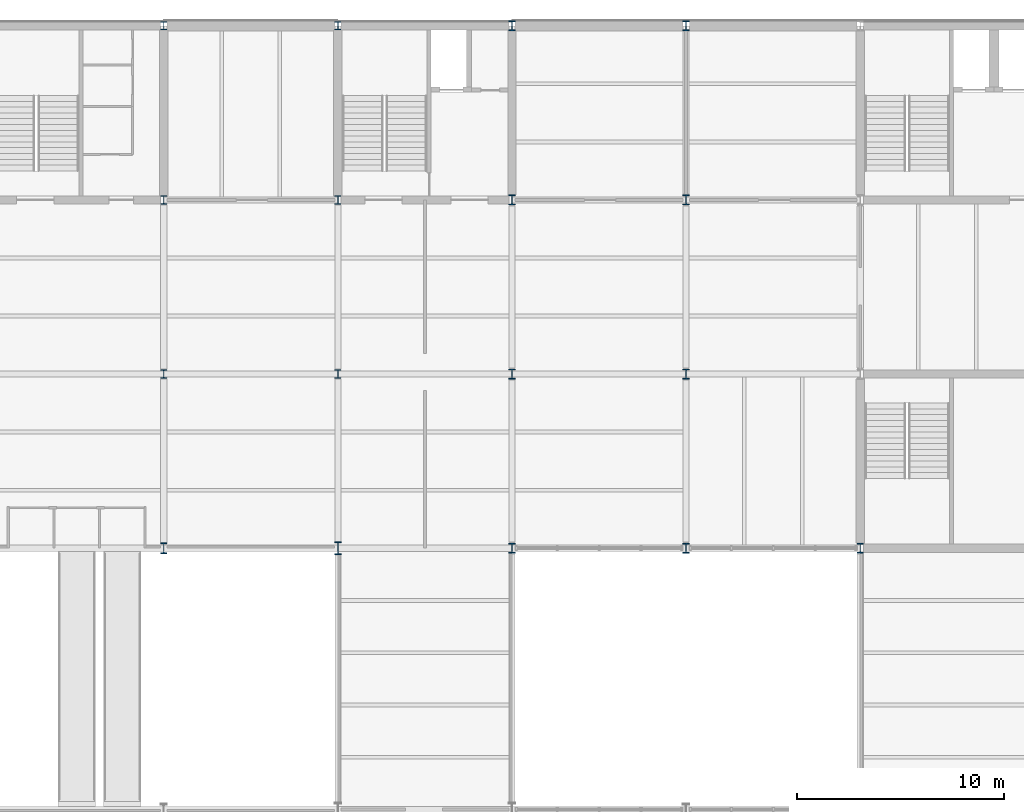
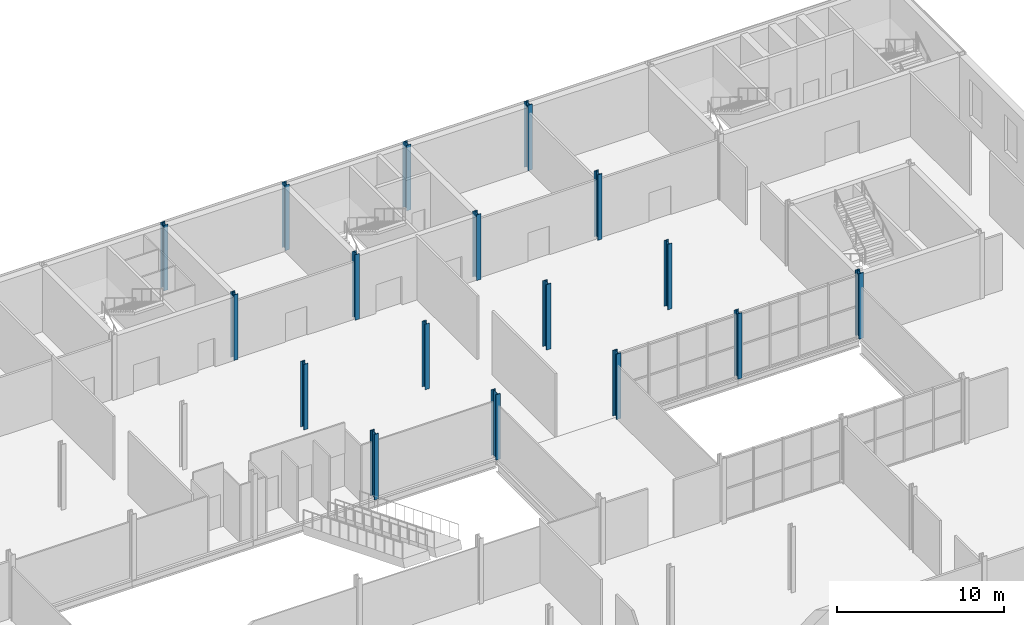
# One storey, part 7 of 52: 17 columns.
"""IFC4 building model written with IfcOpenShell, lengths in metres."""

from ifc_helpers import new_model, si_unit, direction, frame, origin, origin_2d, place, context, subcontext, project, spatial, i_section, extrude, material, material_profile, profile_set, type_object, element, save


model = new_model("IFC4")

# Units and contexts
model_context = context("Model", 3, precision=1e-05, world=origin(), true_north=direction((0.0, 1.0)))
body_context = subcontext(model_context, "Body", "Model", "MODEL_VIEW")
ifc_project = project(units=[si_unit("LENGTHUNIT", "METRE"), si_unit("AREAUNIT", "SQUARE_METRE"), si_unit("VOLUMEUNIT", "CUBIC_METRE"), si_unit("PLANEANGLEUNIT", "RADIAN"), si_unit("MASSUNIT", "GRAM", prefix="KILO")], contexts=[model_context])

# Site, building, storey
site_placement = place(None, origin())
site = spatial("IfcSite", under=ifc_project, at=site_placement, CompositionType="ELEMENT")
building_placement = place(site_placement, origin())
building = spatial("IfcBuilding", under=site, at=building_placement, Name="Galleria Vessillo Department Store", CompositionType="ELEMENT")
storey_placement = place(building_placement, frame((0.0, 0.0, 16.199951171875)))
storey = spatial("IfcBuildingStorey", under=building, at=storey_placement, Name="L03", CompositionType="ELEMENT", Elevation=16.199951171875)

# Columns
ifc_material_1 = material(Name="Steel S355 J2", Category="steel")
ifc_material_profile_1 = material_profile(ifc_material_1, i_section(OverallWidth=0.300048828125, OverallDepth=0.39990234375, WebThickness=0.013427734375, FlangeThickness=0.02392578125, FilletRadius=0.027099609375, at=origin_2d()), Name="HEB 400")
ifc_profile_set_1 = profile_set([ifc_material_profile_1], Name="Steel S355 J2")
column_type_1 = type_object("IfcColumnType", Name="Steel column HEB 400 CP2", PredefinedType="COLUMN", material=ifc_profile_set_1)
for number, where, z_axis, x_axis, name in (
    (1, (67.199951171875, 46.199951171875, 0.0), (0.0, 0.0, 1.0), (1.0, 0.0, 0.0), "S-COL-L03-9-F"),
    (2, (67.199951171875, 54.60009765625, 0.0), (0.0, 0.0, 1.0), (1.0, 0.0, 0.0), "S-COL-L03-9-G"),
    (3, (67.199951171875, 63.0, 0.0), (0.0, 0.0, 1.0), (1.0, 0.0, 0.0), "S-COL-L03-9-H"),
    (4, (75.60009765625, 46.199951171875, 0.0), (0.0, 0.0, 1.0), (1.0, 0.0, 0.0), "S-COL-L03-10-F"),
    (5, (75.60009765625, 54.60009765625, 0.0), (0.0, 0.0, 1.0), (1.0, 0.0, 0.0), "S-COL-L03-10-G"),
    (6, (75.60009765625, 63.0, 0.0), (0.0, 0.0, 1.0), (1.0, 0.0, 0.0), "S-COL-L03-10-H"),
):
    element("IfcColumn", number, at=place(storey_placement, frame(where, z_axis=z_axis, x_axis=x_axis)), inside=storey, type_object=column_type_1, Name=name, PredefinedType="COLUMN", context=body_context, shape_type="SweptSolid", body=[
        extrude(i_section(OverallWidth=0.300048828125, OverallDepth=0.39990234375, WebThickness=0.013427734375, FlangeThickness=0.02392578125, FilletRadius=0.027099609375, at=origin_2d()), origin(), (0.0, 0.0, 1.0), 4.800048828125),
    ])
ifc_material_2 = material(Name="Steel S355 J2", Category="steel")
ifc_material_profile_2 = material_profile(ifc_material_2, i_section(OverallWidth=0.306884765625, OverallDepth=0.47802734375, WebThickness=0.02099609375, FlangeThickness=0.0400390625, FilletRadius=0.027099609375, at=origin_2d()), Name="HEM 450")
ifc_profile_set_2 = profile_set([ifc_material_profile_2], Name="Steel S355 J2")
column_type_2 = type_object("IfcColumnType", Name="Steel column HEM 450 CT2", PredefinedType="COLUMN", material=ifc_profile_set_2)
for number, where, z_axis, x_axis, name in (
    (7, (84.0, 37.800048828125, 0.0), (0.0, 0.0, 1.0), (1.0, 0.0, 0.0), "S-COL-L03-11-E"),
    (8, (84.0, 46.199951171875, 0.0), (0.0, 0.0, 1.0), (1.0, 0.0, 0.0), "S-COL-L03-11-F"),
    (9, (84.0, 54.60009765625, 0.0), (0.0, 0.0, 1.0), (1.0, 0.0, 0.0), "S-COL-L03-11-G"),
    (10, (84.0, 63.0, 0.0), (0.0, 0.0, 1.0), (1.0, 0.0, 0.0), "S-COL-L03-11-H"),
    (11, (92.39990234375, 37.800048828125, 0.0), (0.0, 0.0, 1.0), (1.0, 0.0, 0.0), "S-COL-L03-12-E"),
    (12, (92.39990234375, 46.199951171875, 0.0), (0.0, 0.0, 1.0), (1.0, 0.0, 0.0), "S-COL-L03-12-F"),
    (13, (92.39990234375, 54.60009765625, 0.0), (0.0, 0.0, 1.0), (1.0, 0.0, 0.0), "S-COL-L03-12-G"),
    (14, (92.39990234375, 63.0, 0.0), (0.0, 0.0, 1.0), (1.0, 0.0, 0.0), "S-COL-L03-12-H"),
    (15, (100.800048828125, 37.800048828125, 0.0), (0.0, 0.0, 1.0), (1.0, 0.0, 0.0), "S-COL-L03-13-E"),
):
    element("IfcColumn", number, at=place(storey_placement, frame(where, z_axis=z_axis, x_axis=x_axis)), inside=storey, type_object=column_type_2, Name=name, PredefinedType="COLUMN", context=body_context, shape_type="SweptSolid", body=[
        extrude(i_section(OverallWidth=0.306884765625, OverallDepth=0.47802734375, WebThickness=0.02099609375, FlangeThickness=0.0400390625, FilletRadius=0.027099609375, at=origin_2d()), origin(), (0.0, 0.0, 1.0), 4.800048828125),
    ])
ifc_material_3 = material(Name="Steel S355 J2", Category="steel")
ifc_material_profile_3 = material_profile(ifc_material_3, i_section(OverallWidth=0.305908203125, OverallDepth=0.52392578125, WebThickness=0.02099609375, FlangeThickness=0.0400390625, FilletRadius=0.027099609375, at=origin_2d()), Name="HEM 500")
ifc_profile_set_3 = profile_set([ifc_material_profile_3], Name="Steel S355 J2")
column_type_3 = type_object("IfcColumnType", Name="Steel column HEM 500 CV1", PredefinedType="COLUMN", material=ifc_profile_set_3)
column_1_placement = place(storey_placement, frame((67.199951171875, 37.800048828125, 0.0), z_axis=(0.0, 0.0, 1.0), x_axis=(1.0, 0.0, 0.0)))
element("IfcColumn", 16, at=column_1_placement, inside=storey, type_object=column_type_3, Name="S-COL-L03-9-E", PredefinedType="COLUMN", context=body_context, shape_type="SweptSolid", body=[
    extrude(i_section(OverallWidth=0.305908203125, OverallDepth=0.52392578125, WebThickness=0.02099609375, FlangeThickness=0.0400390625, FilletRadius=0.027099609375, at=origin_2d()), origin(), (0.0, 0.0, 1.0), 4.800048828125),
])
ifc_material_4 = material(Name="Steel S355 J2", Category="steel")
ifc_material_profile_4 = material_profile(ifc_material_4, i_section(OverallWidth=0.304931640625, OverallDepth=0.6201171875, WebThickness=0.02099609375, FlangeThickness=0.0400390625, FilletRadius=0.027099609375, at=origin_2d()), Name="HEM 600")
ifc_profile_set_4 = profile_set([ifc_material_profile_4], Name="Steel S355 J2")
column_type_4 = type_object("IfcColumnType", Name="Steel column HEM 600 CV2", PredefinedType="COLUMN", material=ifc_profile_set_4)
column_2_placement = place(storey_placement, frame((75.60009765625, 37.800048828125, 0.0), z_axis=(0.0, 0.0, 1.0), x_axis=(1.0, 0.0, 0.0)))
element("IfcColumn", 17, at=column_2_placement, inside=storey, type_object=column_type_4, Name="S-COL-L03-10-E", PredefinedType="COLUMN", context=body_context, shape_type="SweptSolid", body=[
    extrude(i_section(OverallWidth=0.304931640625, OverallDepth=0.6201171875, WebThickness=0.02099609375, FlangeThickness=0.0400390625, FilletRadius=0.027099609375, at=origin_2d()), origin(), (0.0, 0.0, 1.0), 4.800048828125),
])

save(model, "model.ifc")
